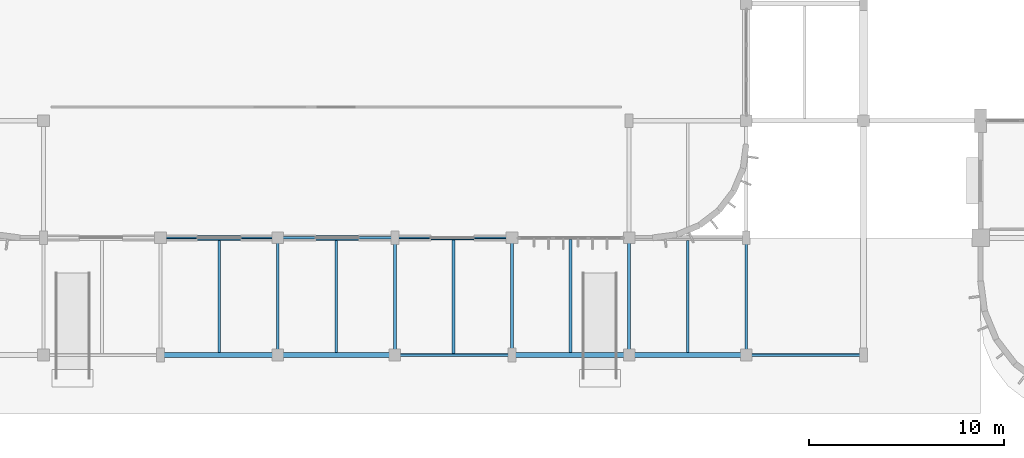
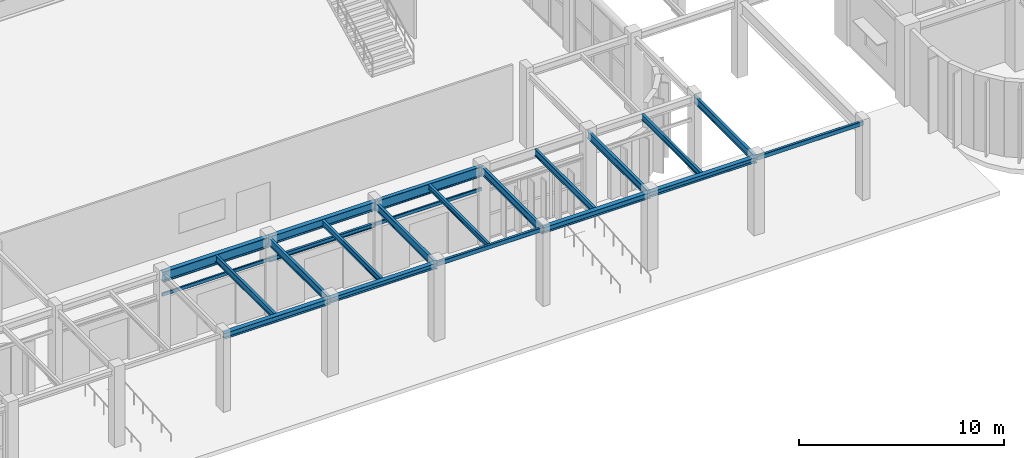
# One storey, part 14 of 76: 22 beams.
"""IFC4 building model written with IfcOpenShell, lengths in metres."""

from ifc_helpers import new_model, si_unit, direction, frame, origin, origin_2d, place, context, subcontext, project, spatial, hollow_rectangle, i_section, extrude, material, material_profile, profile_set, type_object, element, save


model = new_model("IFC4")

# Units and contexts
model_context = context("Model", 3, precision=1e-05, world=origin(), true_north=direction((0.0, 1.0)))
body_context = subcontext(model_context, "Body", "Model", "MODEL_VIEW")
ifc_project = project(units=[si_unit("LENGTHUNIT", "METRE"), si_unit("AREAUNIT", "SQUARE_METRE"), si_unit("VOLUMEUNIT", "CUBIC_METRE"), si_unit("PLANEANGLEUNIT", "RADIAN"), si_unit("MASSUNIT", "GRAM", prefix="KILO")], contexts=[model_context])

# Site, building, storey
site_placement = place(None, origin())
site = spatial("IfcSite", under=ifc_project, at=site_placement, CompositionType="ELEMENT")
building_placement = place(site_placement, origin())
building = spatial("IfcBuilding", under=site, at=building_placement, Name="Varnakota Square Police Headquarters", CompositionType="ELEMENT")
storey_placement = place(building_placement, origin())
storey = spatial("IfcBuildingStorey", under=building, at=storey_placement, Name="L00", CompositionType="ELEMENT", Elevation=0.0)

# Beams
ifc_material = material(Name="Steel IS 2062 Grade 350", Category="steel")
ifc_material_profile_1 = material_profile(ifc_material, hollow_rectangle(XDim=0.14990234375, YDim=0.25, WallThickness=0.010009765625, InnerFilletRadius=0.010009765625, OuterFilletRadius=0.02001953125, at=origin_2d()), Name="RHS 250x150x10")
ifc_profile_set_1 = profile_set([ifc_material_profile_1], Name="Steel IS 2062 Grade 350")
beam_type_1 = type_object("IfcBeamType", Name="BM-CBEAM-RHS250", PredefinedType="BEAM", material=ifc_profile_set_1)
for number, where, z_axis, x_axis, name in (
    (1, (78.0, 3.0, 4.375), (1.0, 0.0, 0.0), (0.0, 1.0, 0.0), "BMG-L00-0702"),
    (2, (96.0, 3.0, 4.375), (1.0, 0.0, 0.0), (0.0, 1.0, 0.0), "BMG-L00-0705"),
):
    element("IfcBeam", number, at=place(storey_placement, frame(where, z_axis=z_axis, x_axis=x_axis)), inside=storey, type_object=beam_type_1, Name=name, PredefinedType="BEAM", context=body_context, shape_type="SweptSolid", body=[
        extrude(hollow_rectangle(XDim=0.14990234375, YDim=0.25, WallThickness=0.010009765625, InnerFilletRadius=0.010009765625, OuterFilletRadius=0.02001953125, at=origin_2d()), origin(), (0.0, 0.0, 1.0), 6.0),
    ])
ifc_material_profile_2 = material_profile(ifc_material, i_section(OverallWidth=0.25, OverallDepth=0.300048828125, WebThickness=0.009521484375, FlangeThickness=0.010498046875, FilletRadius=0.011962890625, at=origin_2d()), Name="ISHB 300")
ifc_profile_set_2 = profile_set([ifc_material_profile_2], Name="Steel IS 2062 Grade 350")
beam_type_2 = type_object("IfcBeamType", Name="BM-ISHB300", PredefinedType="BEAM", material=ifc_profile_set_2)
for number, where, z_axis, x_axis, name in (
    (3, (72.0, 3.0, 4.35009765625), (1.0, 0.0, 0.0), (0.0, 1.0, 0.0), "BMG-L00-0701"),
    (4, (90.0, 3.0, 4.35009765625), (1.0, 0.0, 0.0), (0.0, 1.0, 0.0), "BMG-L00-0704"),
):
    element("IfcBeam", number, at=place(storey_placement, frame(where, z_axis=z_axis, x_axis=x_axis)), inside=storey, type_object=beam_type_2, Name=name, PredefinedType="BEAM", context=body_context, shape_type="SweptSolid", body=[
        extrude(i_section(OverallWidth=0.25, OverallDepth=0.300048828125, WebThickness=0.009521484375, FlangeThickness=0.010498046875, FilletRadius=0.011962890625, at=origin_2d()), origin(), (0.0, 0.0, 1.0), 6.0),
    ])
ifc_material_profile_3 = material_profile(ifc_material, i_section(OverallWidth=0.25, OverallDepth=0.35009765625, WebThickness=0.010009765625, FlangeThickness=0.01171875, FilletRadius=0.011962890625, at=origin_2d()), Name="ISHB 350")
ifc_profile_set_3 = profile_set([ifc_material_profile_3], Name="Steel IS 2062 Grade 350")
beam_type_3 = type_object("IfcBeamType", Name="BM-ISHB350", PredefinedType="BEAM", material=ifc_profile_set_3)
for number, where, z_axis, x_axis, name in (
    (5, (66.0, 3.0, 4.324951171875), (1.0, 0.0, 0.0), (0.0, 1.0, 0.0), "BMG-L00-0700"),
    (6, (84.0, 3.0, 4.324951171875), (1.0, 0.0, 0.0), (0.0, 1.0, 0.0), "BMG-L00-0703"),
):
    element("IfcBeam", number, at=place(storey_placement, frame(where, z_axis=z_axis, x_axis=x_axis)), inside=storey, type_object=beam_type_3, Name=name, PredefinedType="BEAM", context=body_context, shape_type="SweptSolid", body=[
        extrude(i_section(OverallWidth=0.25, OverallDepth=0.35009765625, WebThickness=0.010009765625, FlangeThickness=0.01171875, FilletRadius=0.011962890625, at=origin_2d()), origin(), (0.0, 0.0, 1.0), 6.0),
    ])
ifc_material_profile_4 = material_profile(ifc_material, i_section(OverallWidth=0.125, OverallDepth=0.25, WebThickness=0.0068359375, FlangeThickness=0.012451171875, FilletRadius=0.012939453125, at=origin_2d()), Name="ISMB 250")
ifc_profile_set_4 = profile_set([ifc_material_profile_4], Name="Steel IS 2062 Grade 350")
beam_type_4 = type_object("IfcBeamType", Name="BM-ISMB250", PredefinedType="LINTEL", material=ifc_profile_set_4)
beam_1_placement = place(storey_placement, frame((72.0, 9.0, 3.074951171875), z_axis=(1.0, 0.0, 0.0), x_axis=(0.0, 1.0, 0.0)))
element("IfcBeam", 7, at=beam_1_placement, inside=storey, type_object=beam_type_4, Name="Entrance lintel LNT-04", PredefinedType="LINTEL", context=body_context, shape_type="SweptSolid", body=[
    extrude(i_section(OverallWidth=0.125, OverallDepth=0.25, WebThickness=0.0068359375, FlangeThickness=0.012451171875, FilletRadius=0.012939453125, at=origin_2d()), origin(), (0.0, 0.0, 1.0), 6.0),
])
ifc_material_profile_5 = material_profile(ifc_material, i_section(OverallWidth=0.139892578125, OverallDepth=0.300048828125, WebThickness=0.0078125, FlangeThickness=0.01318359375, FilletRadius=0.013916015625, at=origin_2d()), Name="ISMB 300")
ifc_profile_set_5 = profile_set([ifc_material_profile_5], Name="Steel IS 2062 Grade 350")
beam_type_5 = type_object("IfcBeamType", Name="BM-ISMB300", PredefinedType="JOIST", material=ifc_profile_set_5)
beam_2_placement = place(storey_placement, frame((81.0, 3.072998046875, 4.35009765625), z_axis=(0.0, 1.0, 0.0), x_axis=(-1.0, 0.0, 0.0)))
element("IfcBeam", 8, at=beam_2_placement, inside=storey, type_object=beam_type_5, Name="BMG-L00-1248", PredefinedType="JOIST", context=body_context, shape_type="SweptSolid", body=[
    extrude(i_section(OverallWidth=0.139892578125, OverallDepth=0.300048828125, WebThickness=0.0078125, FlangeThickness=0.01318359375, FilletRadius=0.013916015625, at=origin_2d()), origin(), (0.0, 0.0, 1.0), 5.823974609375),
])
ifc_material_profile_6 = material_profile(ifc_material, i_section(OverallWidth=0.139892578125, OverallDepth=0.35009765625, WebThickness=0.008056640625, FlangeThickness=0.01416015625, FilletRadius=0.013916015625, at=origin_2d()), Name="ISMB 350")
ifc_profile_set_6 = profile_set([ifc_material_profile_6], Name="Steel IS 2062 Grade 350")
beam_type_6 = type_object("IfcBeamType", Name="BM-ISMB350", PredefinedType="JOIST", material=ifc_profile_set_6)
for number, where, z_axis, x_axis, name in (
    (9, (75.0, 3.123046875, 4.324951171875), (0.0, 1.0, 0.0), (-1.0, 0.0, 0.0), "BMG-L00-1246"),
    (10, (93.0, 3.123046875, 4.324951171875), (0.0, 1.0, 0.0), (-1.0, 0.0, 0.0), "BMG-L00-1252"),
):
    element("IfcBeam", number, at=place(storey_placement, frame(where, z_axis=z_axis, x_axis=x_axis)), inside=storey, type_object=beam_type_6, Name=name, PredefinedType="JOIST", context=body_context, shape_type="SweptSolid", body=[
        extrude(i_section(OverallWidth=0.139892578125, OverallDepth=0.35009765625, WebThickness=0.008056640625, FlangeThickness=0.01416015625, FilletRadius=0.013916015625, at=origin_2d()), origin(), (0.0, 0.0, 1.0), 5.75390625),
    ])
ifc_material_profile_7 = material_profile(ifc_material, i_section(OverallWidth=0.139892578125, OverallDepth=0.39990234375, WebThickness=0.0087890625, FlangeThickness=0.01611328125, FilletRadius=0.013916015625, at=origin_2d()), Name="ISMB 400")
ifc_profile_set_7 = profile_set([ifc_material_profile_7], Name="Steel IS 2062 Grade 350")
beam_type_7 = type_object("IfcBeamType", Name="BM-ISMB400", PredefinedType="JOIST", material=ifc_profile_set_7)
beam_3_placement = place(storey_placement, frame((69.0, 3.123046875, 4.300048828125), z_axis=(0.0, 1.0, 0.0), x_axis=(-1.0, 0.0, 0.0)))
element("IfcBeam", 11, at=beam_3_placement, inside=storey, type_object=beam_type_7, Name="BMG-L00-1244", PredefinedType="JOIST", context=body_context, shape_type="SweptSolid", body=[
    extrude(i_section(OverallWidth=0.139892578125, OverallDepth=0.39990234375, WebThickness=0.0087890625, FlangeThickness=0.01611328125, FilletRadius=0.013916015625, at=origin_2d()), origin(), (0.0, 0.0, 1.0), 5.75390625),
])
beam_4_placement = place(storey_placement, frame((87.0, 3.123046875, 4.300048828125), z_axis=(0.0, 1.0, 0.0), x_axis=(-1.0, 0.0, 0.0)))
element("IfcBeam", 12, at=beam_4_placement, inside=storey, type_object=beam_type_7, Name="BMG-L00-1250", PredefinedType="JOIST", context=body_context, shape_type="SweptSolid", body=[
    extrude(i_section(OverallWidth=0.139892578125, OverallDepth=0.39990234375, WebThickness=0.0087890625, FlangeThickness=0.01611328125, FilletRadius=0.013916015625, at=origin_2d()), origin(), (0.0, 0.0, 1.0), 5.783935546875),
])
ifc_material_profile_8 = material_profile(ifc_material, i_section(OverallWidth=0.14990234375, OverallDepth=0.449951171875, WebThickness=0.009521484375, FlangeThickness=0.017333984375, FilletRadius=0.014892578125, at=origin_2d()), Name="ISMB 450")
ifc_profile_set_8 = profile_set([ifc_material_profile_8], Name="Steel IS 2062 Grade 350")
beam_type_8 = type_object("IfcBeamType", Name="BM-ISMB450", PredefinedType="BEAM", material=ifc_profile_set_8)
for number, where, z_axis, x_axis, name in (
    (13, (72.0, 3.0, 4.27490234375), (0.0, 1.0, 0.0), (-1.0, 0.0, 0.0), "BMG-L00-1051"),
    (14, (78.0, 3.0, 4.27490234375), (0.0, 1.0, 0.0), (-1.0, 0.0, 0.0), "BMG-L00-1055"),
    (15, (84.0, 3.0, 4.27490234375), (0.0, 1.0, 0.0), (-1.0, 0.0, 0.0), "BMG-L00-1059"),
    (16, (90.0, 3.0, 4.27490234375), (0.0, 1.0, 0.0), (-1.0, 0.0, 0.0), "BMG-L00-1063"),
    (17, (96.0, 3.0, 4.27490234375), (0.0, 1.0, 0.0), (-1.0, 0.0, 0.0), "BMG-L00-1069"),
):
    element("IfcBeam", number, at=place(storey_placement, frame(where, z_axis=z_axis, x_axis=x_axis)), inside=storey, type_object=beam_type_8, Name=name, PredefinedType="BEAM", context=body_context, shape_type="SweptSolid", body=[
        extrude(i_section(OverallWidth=0.14990234375, OverallDepth=0.449951171875, WebThickness=0.009521484375, FlangeThickness=0.017333984375, FilletRadius=0.014892578125, at=origin_2d()), origin(), (0.0, 0.0, 1.0), 6.0),
    ])
ifc_material_profile_9 = material_profile(ifc_material, i_section(OverallWidth=0.2099609375, OverallDepth=0.60009765625, WebThickness=0.011962890625, FlangeThickness=0.020751953125, FilletRadius=0.02001953125, at=origin_2d()), Name="ISMB 600")
ifc_profile_set_9 = profile_set([ifc_material_profile_9], Name="Steel IS 2062 Grade 350")
beam_type_9 = type_object("IfcBeamType", Name="BM-ISMB600", PredefinedType="BEAM", material=ifc_profile_set_9)
beam_5_placement = place(storey_placement, frame((78.0, 9.0, 4.199951171875), z_axis=(1.0, 0.0, 0.0), x_axis=(0.0, 1.0, 0.0)))
element("IfcBeam", 18, at=beam_5_placement, inside=storey, type_object=beam_type_9, Name="BMG-L00-0715", PredefinedType="BEAM", context=body_context, shape_type="SweptSolid", body=[
    extrude(i_section(OverallWidth=0.2099609375, OverallDepth=0.60009765625, WebThickness=0.011962890625, FlangeThickness=0.020751953125, FilletRadius=0.02001953125, at=origin_2d()), origin(), (0.0, 0.0, 1.0), 6.0),
])
ifc_material_profile_10 = material_profile(ifc_material, i_section(OverallWidth=0.25, OverallDepth=0.5, WebThickness=0.010009765625, FlangeThickness=0.0146484375, FilletRadius=0.014892578125, at=origin_2d()), Name="ISWB 500")
ifc_profile_set_10 = profile_set([ifc_material_profile_10], Name="Steel IS 2062 Grade 350")
beam_type_10 = type_object("IfcBeamType", Name="BM-ISWB500", PredefinedType="BEAM", material=ifc_profile_set_10)
beam_6_placement = place(storey_placement, frame((72.0, 9.0, 4.25), z_axis=(1.0, 0.0, 0.0), x_axis=(0.0, 1.0, 0.0)))
element("IfcBeam", 19, at=beam_6_placement, inside=storey, type_object=beam_type_10, Name="BMG-L00-0714", PredefinedType="BEAM", context=body_context, shape_type="SweptSolid", body=[
    extrude(i_section(OverallWidth=0.25, OverallDepth=0.5, WebThickness=0.010009765625, FlangeThickness=0.0146484375, FilletRadius=0.014892578125, at=origin_2d()), origin(), (0.0, 0.0, 1.0), 6.0),
])
ifc_material_profile_11 = material_profile(ifc_material, i_section(OverallWidth=0.25, OverallDepth=0.60009765625, WebThickness=0.01171875, FlangeThickness=0.023681640625, FilletRadius=0.01708984375, at=origin_2d()), Name="ISWB 600")
ifc_profile_set_11 = profile_set([ifc_material_profile_11], Name="Steel IS 2062 Grade 350")
beam_type_11 = type_object("IfcBeamType", Name="BM-ISWB600", PredefinedType="BEAM", material=ifc_profile_set_11)
beam_7_placement = place(storey_placement, frame((66.0, 9.0, 4.199951171875), z_axis=(1.0, 0.0, 0.0), x_axis=(0.0, 1.0, 0.0)))
element("IfcBeam", 20, at=beam_7_placement, inside=storey, type_object=beam_type_11, Name="BMG-L00-0713", PredefinedType="BEAM", context=body_context, shape_type="SweptSolid", body=[
    extrude(i_section(OverallWidth=0.25, OverallDepth=0.60009765625, WebThickness=0.01171875, FlangeThickness=0.023681640625, FilletRadius=0.01708984375, at=origin_2d()), origin(), (0.0, 0.0, 1.0), 6.0),
])
ifc_material_profile_12 = material_profile(ifc_material, hollow_rectangle(XDim=0.10009765625, YDim=0.199951171875, WallThickness=0.008056640625, InnerFilletRadius=0.008056640625, OuterFilletRadius=0.01611328125, at=origin_2d()), Name="RHS 200x100x8")
ifc_profile_set_12 = profile_set([ifc_material_profile_12], Name="Steel IS 2062 Grade 350")
beam_type_12 = type_object("IfcBeamType", Name="BM-LNT-RHS200", PredefinedType="LINTEL", material=ifc_profile_set_12)
for number, where, z_axis, x_axis, name in (
    (21, (66.0, 9.0, 3.10009765625), (1.0, 0.0, 0.0), (0.0, 1.0, 0.0), "Entrance lintel LNT-03"),
    (22, (78.0, 9.0, 3.10009765625), (1.0, 0.0, 0.0), (0.0, 1.0, 0.0), "Entrance lintel LNT-05"),
):
    element("IfcBeam", number, at=place(storey_placement, frame(where, z_axis=z_axis, x_axis=x_axis)), inside=storey, type_object=beam_type_12, Name=name, PredefinedType="LINTEL", context=body_context, shape_type="SweptSolid", body=[
        extrude(hollow_rectangle(XDim=0.10009765625, YDim=0.199951171875, WallThickness=0.008056640625, InnerFilletRadius=0.008056640625, OuterFilletRadius=0.01611328125, at=origin_2d()), origin(), (0.0, 0.0, 1.0), 6.0),
    ])

save(model, "model.ifc")
